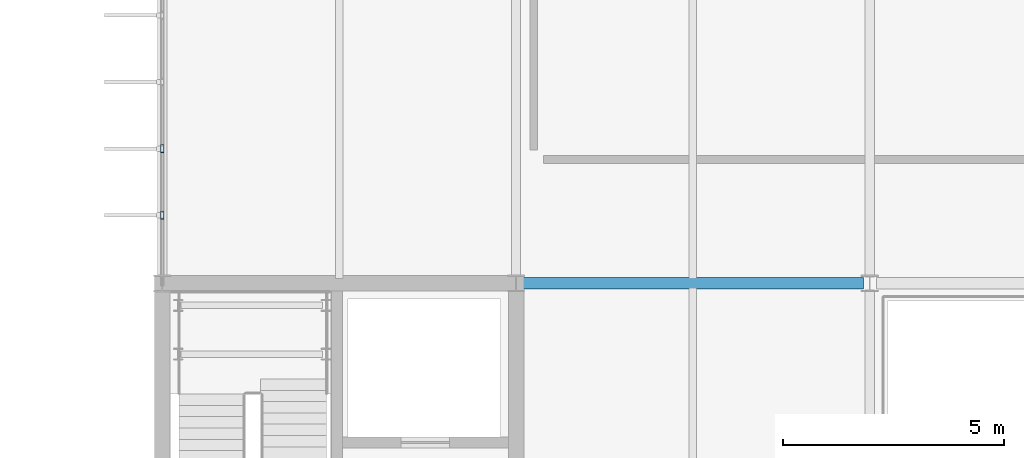
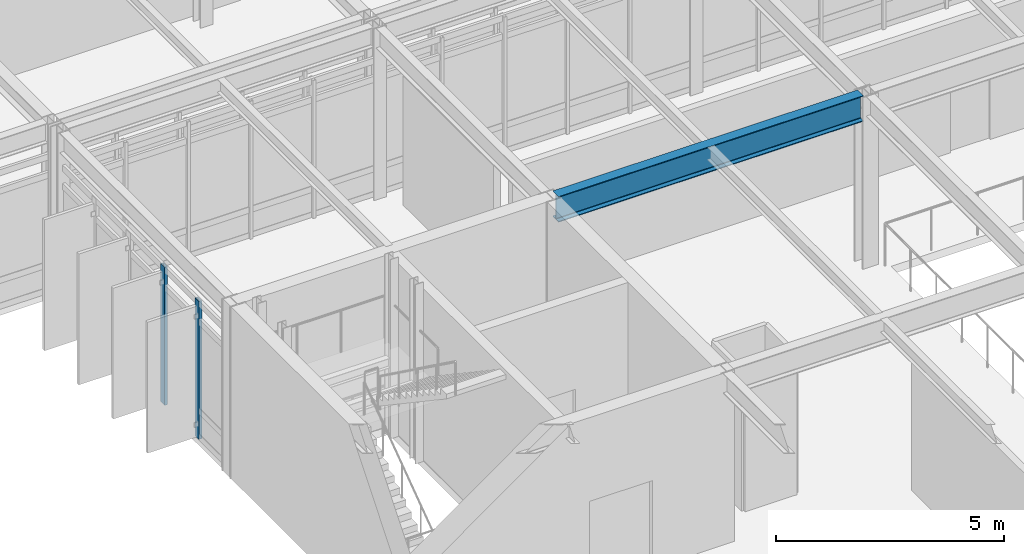
# One storey, part 45 of 104: 2 members, 1 beam, 1 element without a shape of its own.
"""IFC4 building model written with IfcOpenShell, lengths in metres."""

from ifc_helpers import new_model, si_unit, direction, frame, origin, origin_2d, place, context, subcontext, project, spatial, hollow_rectangle, i_section, extrude, material, material_profile, profile_set, type_object, element, aggregate, save


model = new_model("IFC4")

# Units and contexts
model_context = context("Model", 3, precision=1e-05, world=origin(), true_north=direction((0.0, 1.0)))
body_context = subcontext(model_context, "Body", "Model", "MODEL_VIEW")
ifc_project = project(units=[si_unit("LENGTHUNIT", "METRE"), si_unit("AREAUNIT", "SQUARE_METRE"), si_unit("VOLUMEUNIT", "CUBIC_METRE"), si_unit("PLANEANGLEUNIT", "RADIAN"), si_unit("MASSUNIT", "GRAM", prefix="KILO")], contexts=[model_context])

# Site, building, storey
site_placement = place(None, origin())
site = spatial("IfcSite", under=ifc_project, at=site_placement, CompositionType="ELEMENT")
building_placement = place(site_placement, origin())
building = spatial("IfcBuilding", under=site, at=building_placement, Name="Zulena Civic Courthouse", CompositionType="ELEMENT")
storey_placement = place(building_placement, frame((0.0, 0.0, 15.60009765625)))
storey = spatial("IfcBuildingStorey", under=building, at=storey_placement, Name="L03", CompositionType="ELEMENT", Elevation=15.60009765625)

# Curtain wall, members
ifc_material_1 = material(Name="Double-silver low-E laminated solar-control glass", Category="glass")
curtain_wall_type = type_object("IfcCurtainWallType", Name="CW_7528x3690", PredefinedType="USERDEFINED", material=ifc_material_1)
curtain_wall_placement = place(storey_placement, origin())
curtain_wall = element("IfcCurtainWall", 1, at=curtain_wall_placement, inside=storey, type_object=curtain_wall_type, Name="cw:V4:L03:0:3", ObjectType="UNITISED CURTAIN WALL", PredefinedType="USERDEFINED")
ifc_material_2 = material(Name="Bronze anodised thermally broken aluminium AA6063-T6", Category="aluminium")
ifc_material_profile_1 = material_profile(ifc_material_2, hollow_rectangle(XDim=0.074951171875, YDim=0.179931640625, WallThickness=0.0048828125, at=origin_2d()), Name="CWM180X75X5")
ifc_profile_set_1 = profile_set([ifc_material_profile_1], Name="Bronze anodised thermally broken aluminium AA6063-T6")
member_type = type_object("IfcMemberType", Name="CWMullion_180x75", PredefinedType="MULLION", material=ifc_profile_set_1)
member_1_placement = place(storey_placement, frame((68.0, 39.54150390625, 0.0), z_axis=(0.0, 0.0, 1.0), x_axis=(1.0, 0.0, 0.0)))
member_1 = element("IfcMember", 2, at=member_1_placement, type_object=member_type, Name="cw:V4:L03:0:3:mull:1", PredefinedType="MULLION", context=body_context, shape_type="SweptSolid", body=[
    extrude(hollow_rectangle(XDim=0.074951171875, YDim=0.179931640625, WallThickness=0.0048828125, at=origin_2d()), origin(), (0.0, 0.0, 1.0), 3.68994140625),
])
member_2_placement = place(storey_placement, frame((68.0, 41.047119140625, 0.0), z_axis=(0.0, 0.0, 1.0), x_axis=(1.0, 0.0, 0.0)))
member_2 = element("IfcMember", 3, at=member_2_placement, type_object=member_type, Name="cw:V4:L03:0:3:mull:2", PredefinedType="MULLION", context=body_context, shape_type="SweptSolid", body=[
    extrude(hollow_rectangle(XDim=0.074951171875, YDim=0.179931640625, WallThickness=0.0048828125, at=origin_2d()), origin(), (0.0, 0.0, 1.0), 3.68994140625),
])
aggregate(curtain_wall, [member_1, member_2])

# Beam
ifc_material_3 = material(Name="Steel ASTM A992 Grade 50", Category="steel")
ifc_material_profile_2 = material_profile(ifc_material_3, i_section(OverallWidth=0.25390625, OverallDepth=0.68798828125, WebThickness=0.01318359375, FlangeThickness=0.02099609375, FilletRadius=0.0166015625, at=origin_2d()), Name="W27X102")
ifc_profile_set_2 = profile_set([ifc_material_profile_2], Name="Steel ASTM A992 Grade 50")
beam_type = type_object("IfcBeamType", Name="Girder_W27X102", PredefinedType="BEAM", material=ifc_profile_set_2)
beam_placement = place(storey_placement, frame((76.14501953125, 38.0, 4.245849609375), z_axis=(1.0, 0.0, 0.0), x_axis=(0.0, 1.0, 0.0)))
element("IfcBeam", 4, at=beam_placement, inside=storey, type_object=beam_type, Name="beam:X:V4:L03:38.0:76.0_84.0", PredefinedType="BEAM", context=body_context, shape_type="SweptSolid", body=[
    extrude(i_section(OverallWidth=0.25390625, OverallDepth=0.68798828125, WebThickness=0.01318359375, FlangeThickness=0.02099609375, FilletRadius=0.0166015625, at=origin_2d()), origin(), (0.0, 0.0, 1.0), 7.7099609375),
])

save(model, "model.ifc")
